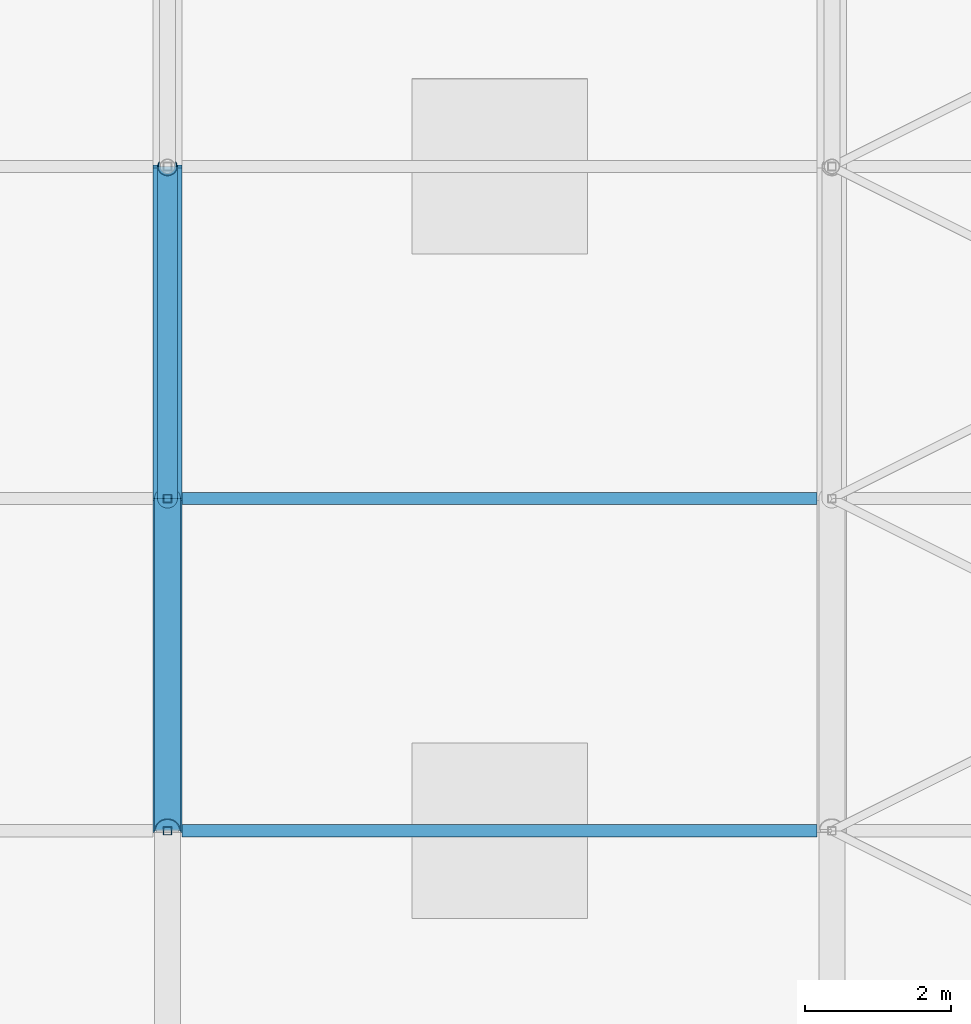
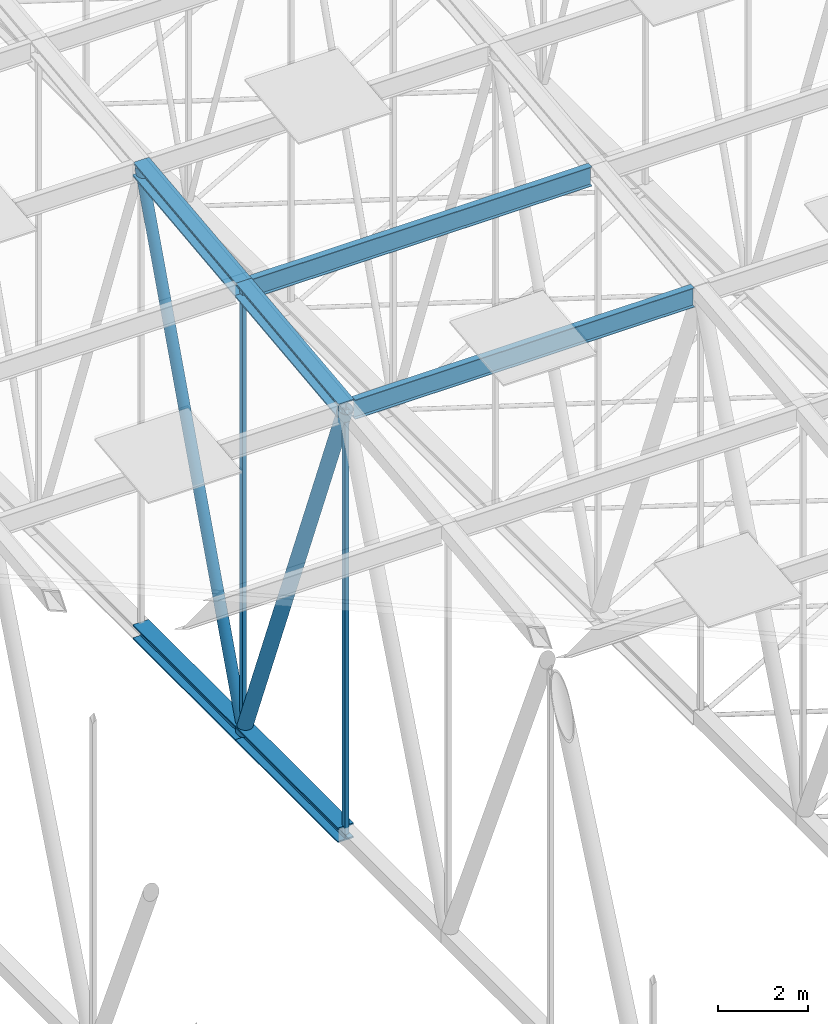
# One storey, part 135 of 500: 10 members.
"""IFC4 building model written with IfcOpenShell, lengths in metres."""

from ifc_helpers import new_model, si_unit, direction, frame, origin, origin_2d, place, context, subcontext, project, spatial, hollow_rectangle, hollow_circle, i_section, extrude, material, material_profile, profile_set, type_object, element, save


model = new_model("IFC4")

# Units and contexts
model_context = context("Model", 3, precision=1e-05, world=origin(), true_north=direction((0.0, 1.0)))
body_context = subcontext(model_context, "Body", "Model", "MODEL_VIEW")
ifc_project = project(units=[si_unit("LENGTHUNIT", "METRE"), si_unit("AREAUNIT", "SQUARE_METRE"), si_unit("VOLUMEUNIT", "CUBIC_METRE"), si_unit("PLANEANGLEUNIT", "RADIAN"), si_unit("MASSUNIT", "GRAM", prefix="KILO")], contexts=[model_context])

# Site, building, storey
site_placement = place(None, origin())
site = spatial("IfcSite", under=ifc_project, at=site_placement, CompositionType="ELEMENT")
building_placement = place(site_placement, origin())
building = spatial("IfcBuilding", under=site, at=building_placement, Name="Shirokan Park Arena", CompositionType="ELEMENT")
storey_placement = place(building_placement, frame((0.0, 0.0, 29.1201171875)))
storey = spatial("IfcBuildingStorey", under=building, at=storey_placement, Name="L06", CompositionType="ELEMENT", Elevation=29.1201171875)

# Members
ifc_material_1 = material(Name="Steel ASTM A992", Category="steel")
ifc_material_profile_1 = material_profile(ifc_material_1, i_section(OverallWidth=0.40087890625, OverallDepth=0.39892578125, WebThickness=0.02490234375, FlangeThickness=0.03955078125, at=origin_2d()), Name="W360X314")
ifc_profile_set_1 = profile_set([ifc_material_profile_1], Name="Steel ASTM A992")
member_type_1 = type_object("IfcMemberType", Name="Bottom chord W360X314", PredefinedType="CHORD", material=ifc_profile_set_1)
member_1_placement = place(storey_placement, frame((81.89990234375, 31.85009765625, 4.677001953125), z_axis=(0.0, 1.0, 0.0), x_axis=(-1.0, 0.0, 0.0)))
element("IfcMember", 1, at=member_1_placement, inside=storey, type_object=member_type_1, Name="Truss T10 bottom chord 10", PredefinedType="CHORD", context=body_context, shape_type="SweptSolid", body=[
    extrude(i_section(OverallWidth=0.40087890625, OverallDepth=0.39892578125, WebThickness=0.02490234375, FlangeThickness=0.03955078125, at=origin_2d()), origin(), (0.0, 0.0, 1.0), 4.5498046875),
])
member_2_placement = place(storey_placement, frame((81.89990234375, 36.39990234375, 4.677001953125), z_axis=(0.0, 1.0, 0.0), x_axis=(-1.0, 0.0, 0.0)))
element("IfcMember", 2, at=member_2_placement, inside=storey, type_object=member_type_1, Name="Truss T10 bottom chord 11", PredefinedType="CHORD", context=body_context, shape_type="SweptSolid", body=[
    extrude(i_section(OverallWidth=0.40087890625, OverallDepth=0.39892578125, WebThickness=0.02490234375, FlangeThickness=0.03955078125, at=origin_2d()), origin(), (0.0, 0.0, 1.0), 4.550048828125),
])
ifc_material_profile_2 = material_profile(ifc_material_1, i_section(OverallWidth=0.166015625, OverallDepth=0.528076171875, WebThickness=0.009765625, FlangeThickness=0.013671875, at=origin_2d()), Name="W530X74")
ifc_profile_set_2 = profile_set([ifc_material_profile_2], Name="Steel ASTM A992")
member_type_2 = type_object("IfcMemberType", Name="Purlin W530X74", PredefinedType="PURLIN", material=ifc_profile_set_2)
for number, where, z_axis, x_axis, name in (
    (3, (82.1005859375, 31.85009765625, 16.1259765625), (1.0, 0.0, 0.0), (0.0, 1.0, 0.0), "Purlin 10 bay 10"),
    (4, (82.1005859375, 36.39990234375, 16.64599609375), (1.0, 0.0, 0.0), (0.0, 1.0, 0.0), "Purlin 11 bay 10"),
):
    element("IfcMember", number, at=place(storey_placement, frame(where, z_axis=z_axis, x_axis=x_axis)), inside=storey, type_object=member_type_2, Name=name, PredefinedType="PURLIN", context=body_context, shape_type="SweptSolid", body=[
        extrude(i_section(OverallWidth=0.166015625, OverallDepth=0.528076171875, WebThickness=0.009765625, FlangeThickness=0.013671875, at=origin_2d()), origin(), (0.0, 0.0, 1.0), 8.698974609375),
    ])
ifc_material_profile_3 = material_profile(ifc_material_1, i_section(OverallWidth=0.40087890625, OverallDepth=0.39892578125, WebThickness=0.02490234375, FlangeThickness=0.03955078125, at=origin_2d()), Name="W360X314")
ifc_profile_set_3 = profile_set([ifc_material_profile_3], Name="Steel ASTM A992")
member_type_3 = type_object("IfcMemberType", Name="Top chord W360X314", PredefinedType="CHORD", material=ifc_profile_set_3)
member_3_placement = place(storey_placement, frame((81.89990234375, 31.85009765625, 16.181396484375), z_axis=(0.0, 0.993531641592, 0.11355561261), x_axis=(-1.0, 0.0, 0.0)))
element("IfcMember", 5, at=member_3_placement, inside=storey, type_object=member_type_3, Name="Truss T10 top chord 10", PredefinedType="CHORD", context=body_context, shape_type="SweptSolid", body=[
    extrude(i_section(OverallWidth=0.40087890625, OverallDepth=0.39892578125, WebThickness=0.02490234375, FlangeThickness=0.03955078125, at=origin_2d()), origin(), (0.0, 0.0, 1.0), 4.579345703125),
])
member_4_placement = place(storey_placement, frame((81.89990234375, 36.39990234375, 16.701416015625), z_axis=(0.0, 0.993532328996, 0.113549598152), x_axis=(-1.0, 0.0, 0.0)))
element("IfcMember", 6, at=member_4_placement, inside=storey, type_object=member_type_3, Name="Truss T10 top chord 11", PredefinedType="CHORD", context=body_context, shape_type="SweptSolid", body=[
    extrude(i_section(OverallWidth=0.40087890625, OverallDepth=0.39892578125, WebThickness=0.02490234375, FlangeThickness=0.03955078125, at=origin_2d()), origin(), (0.0, 0.0, 1.0), 4.57958984375),
])
ifc_material_2 = material(Name="Steel ASTM A500 Grade C", Category="steel")
ifc_material_profile_4 = material_profile(ifc_material_2, hollow_circle(Radius=0.136474609375, WallThickness=0.009521484375, at=origin_2d()), Name="HSS273.1X9.5")
ifc_profile_set_4 = profile_set([ifc_material_profile_4], Name="Steel ASTM A500 Grade C")
member_type_4 = type_object("IfcMemberType", Name="Truss diagonal HSS273.1X9.5", PredefinedType="BRACE", material=ifc_profile_set_4)
member_5_placement = place(storey_placement, frame((81.89990234375, 36.39990234375, 4.677001953125), z_axis=(0.0, 0.340977600467, 0.94007142068), x_axis=(-1.0, 0.0, 0.0)))
element("IfcMember", 7, at=member_5_placement, inside=storey, type_object=member_type_4, Name="Truss T10 diagonal 11", PredefinedType="BRACE", context=body_context, shape_type="SweptSolid", body=[
    extrude(hollow_circle(Radius=0.136474609375, WallThickness=0.009521484375, at=origin_2d()), origin(), (0.0, 0.0, 1.0), 13.34423828125),
])
ifc_material_profile_5 = material_profile(ifc_material_2, hollow_circle(Radius=0.177978515625, WallThickness=0.0126953125, at=origin_2d()), Name="HSS355.6X12.7")
ifc_profile_set_5 = profile_set([ifc_material_profile_5], Name="Steel ASTM A500 Grade C")
member_type_5 = type_object("IfcMemberType", Name="Truss diagonal HSS355.6X12.7", PredefinedType="BRACE", material=ifc_profile_set_5)
member_6_placement = place(storey_placement, frame((81.89990234375, 31.85009765625, 16.181396484375), z_axis=(0.0, 0.367767637573, -0.929917719346), x_axis=(-1.0, 0.0, 0.0)))
element("IfcMember", 8, at=member_6_placement, inside=storey, type_object=member_type_5, Name="Truss T10 diagonal 10", PredefinedType="BRACE", context=body_context, shape_type="SweptSolid", body=[
    extrude(hollow_circle(Radius=0.177978515625, WallThickness=0.0126953125, at=origin_2d()), origin(), (0.0, 0.0, 1.0), 12.371337890625),
])
ifc_material_profile_6 = material_profile(ifc_material_2, hollow_rectangle(XDim=0.114013671875, YDim=0.114013671875, WallThickness=0.00634765625, at=origin_2d()), Name="HSS114.3X114.3X6.4")
ifc_profile_set_6 = profile_set([ifc_material_profile_6], Name="Steel ASTM A500 Grade C")
member_type_6 = type_object("IfcMemberType", Name="Truss post HSS114.3X114.3X6.4", PredefinedType="POST", material=ifc_profile_set_6)
member_7_placement = place(storey_placement, frame((81.89990234375, 31.85009765625, 4.677001953125), z_axis=(0.0, 0.0, 1.0), x_axis=(1.0, 0.0, 0.0)))
element("IfcMember", 9, at=member_7_placement, inside=storey, type_object=member_type_6, Name="Truss T10 post 10", PredefinedType="POST", context=body_context, shape_type="SweptSolid", body=[
    extrude(hollow_rectangle(XDim=0.114013671875, YDim=0.114013671875, WallThickness=0.00634765625, at=origin_2d()), origin(), (0.0, 0.0, 1.0), 11.50439453125),
])
member_8_placement = place(storey_placement, frame((81.89990234375, 36.39990234375, 4.677001953125), z_axis=(0.0, 0.0, 1.0), x_axis=(1.0, 0.0, 0.0)))
element("IfcMember", 10, at=member_8_placement, inside=storey, type_object=member_type_6, Name="Truss T10 post 11", PredefinedType="POST", context=body_context, shape_type="SweptSolid", body=[
    extrude(hollow_rectangle(XDim=0.114013671875, YDim=0.114013671875, WallThickness=0.00634765625, at=origin_2d()), origin(), (0.0, 0.0, 1.0), 12.0244140625),
])

save(model, "model.ifc")
